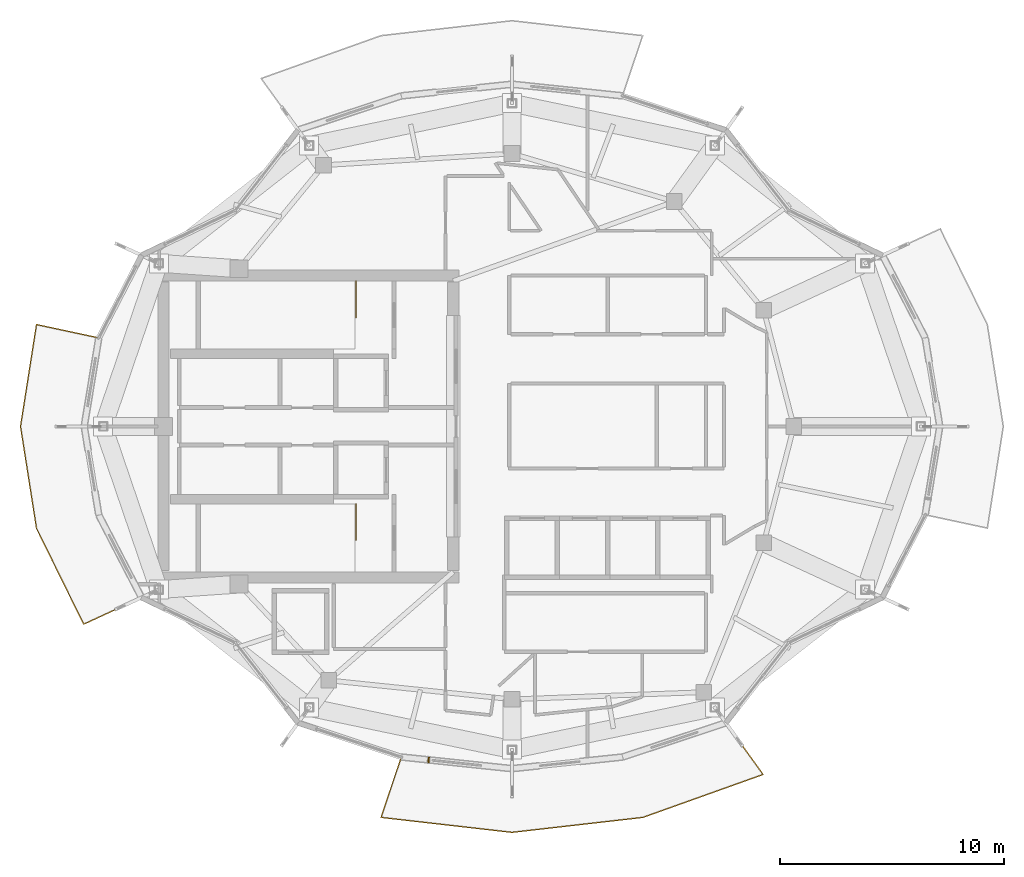
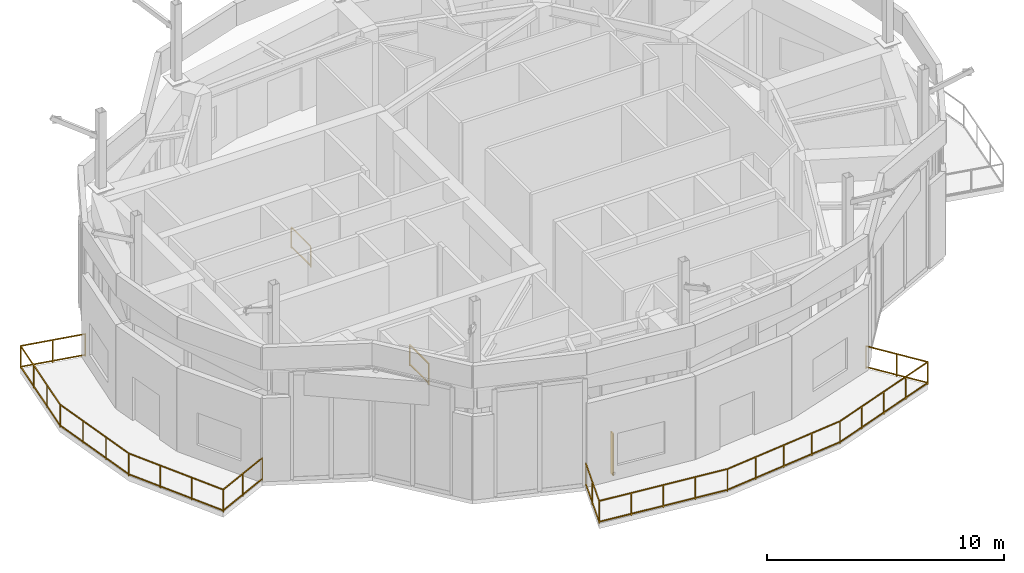
# One storey, part 12 of 13: 4 railings, 1 shading device.
"""IFC4 building model written with IfcOpenShell, lengths in metres."""

from ifc_helpers import new_model, si_unit, direction, frame, origin, origin_2d, place, context, subcontext, project, spatial, rectangle, extrude, material, type_object, element, save


model = new_model("IFC4")

# Units and contexts
model_context = context("Model", 3, precision=1e-05, world=origin(), true_north=direction((0.0, 1.0)))
body_context = subcontext(model_context, "Body", "Model", "MODEL_VIEW")
ifc_project = project(units=[si_unit("LENGTHUNIT", "METRE"), si_unit("AREAUNIT", "SQUARE_METRE"), si_unit("VOLUMEUNIT", "CUBIC_METRE"), si_unit("PLANEANGLEUNIT", "RADIAN"), si_unit("MASSUNIT", "GRAM", prefix="KILO")], contexts=[model_context])

# Site, building, storey
site_placement = place(None, origin())
site = spatial("IfcSite", under=ifc_project, at=site_placement, CompositionType="ELEMENT")
building_placement = place(site_placement, origin())
building = spatial("IfcBuilding", under=site, at=building_placement, Name="Kolvaren Gate Tower and Convention Centre", CompositionType="ELEMENT")
storey_placement = place(building_placement, frame((0.0, 0.0, 281.60009765625)))
storey = spatial("IfcBuildingStorey", under=building, at=storey_placement, Name="L76", CompositionType="ELEMENT", Elevation=281.60009765625)

# Railings
ifc_material_1 = material(Name="Laminated Tempered Safety Glass Balustrade 21.5 mm", Category="glass")
railing_type_1 = type_object("IfcRailingType", Name="ARCH-RL-BALUST-1180", PredefinedType="BALUSTRADE", material=ifc_material_1)
railing_1_placement = place(storey_placement, frame((11.651611328125, 30.9599609375, 0.0)))
element("IfcRailing", 1, at=railing_1_placement, inside=storey, type_object=railing_type_1, Name="Tower L76 Terrace Perimeter Guardrail GR-3", PredefinedType="BALUSTRADE", context=body_context, shape_type="SweptSolid", body=[
    extrude(rectangle(XDim=0.048095703125, YDim=0.048095703125, at=origin_2d()), frame((-0.02734375, 0.005859375, 1.15576171875), z_axis=(-0.977782351409, 0.209622692649, 0.0), x_axis=(-0.209622692649, -0.977782351409, 0.0)), (0.0, 0.0, 1.0), 2.7939453125),
    extrude(rectangle(XDim=0.048095703125, YDim=0.048095703125, at=origin_2d()), frame((-0.02734375, 0.005859375, 0.083984375), z_axis=(-0.977782351409, 0.209622692649, 0.0), x_axis=(-0.209622692649, -0.977782351409, 0.0)), (0.0, 0.0, 1.0), 2.7939453125),
    extrude(rectangle(XDim=0.048095703125, YDim=0.048095703125, at=origin_2d()), frame((-2.791015625, 0.56982421875, 1.15576171875), z_axis=(-0.155011318424, -0.987912694098, 0.0), x_axis=(0.987912694098, -0.155011318424, 0.0)), (0.0, 0.0, 1.0), 4.55712890625),
    extrude(rectangle(XDim=0.048095703125, YDim=0.048095703125, at=origin_2d()), frame((-2.791015625, 0.56982421875, 0.083984375), z_axis=(-0.155011318424, -0.987912694098, 0.0), x_axis=(0.987912694098, -0.155011318424, 0.0)), (0.0, 0.0, 1.0), 4.55712890625),
    extrude(rectangle(XDim=0.048095703125, YDim=0.048095703125, at=origin_2d()), frame((-3.497314453125, -3.987548828125, 1.15576171875), z_axis=(0.155011318424, -0.987912694098, 0.0), x_axis=(0.987912694098, 0.155011318424, 0.0)), (0.0, 0.0, 1.0), 4.55712890625),
    extrude(rectangle(XDim=0.048095703125, YDim=0.048095703125, at=origin_2d()), frame((-3.497314453125, -3.987548828125, 0.083984375), z_axis=(0.155011318424, -0.987912694098, 0.0), x_axis=(0.987912694098, 0.155011318424, 0.0)), (0.0, 0.0, 1.0), 4.55712890625),
    extrude(rectangle(XDim=0.048095703125, YDim=0.048095703125, at=origin_2d()), frame((-2.774169921875, -8.54248046875, 1.15576171875), z_axis=(0.441564449568, -0.897229534109, 0.0), x_axis=(0.897229534109, 0.441564449568, 0.0)), (0.0, 0.0, 1.0), 4.72265625),
    extrude(rectangle(XDim=0.048095703125, YDim=0.048095703125, at=origin_2d()), frame((-2.774169921875, -8.54248046875, 0.083984375), z_axis=(0.441564449568, -0.897229534109, 0.0), x_axis=(0.897229534109, 0.441564449568, 0.0)), (0.0, 0.0, 1.0), 4.72265625),
    extrude(rectangle(XDim=0.048095703125, YDim=0.048095703125, at=origin_2d()), frame((-0.651123046875, -12.793212890625, 1.15576171875), z_axis=(0.907826448585, 0.419346085291, 0.0), x_axis=(-0.419346085291, 0.907826448585, 0.0)), (0.0, 0.0, 1.0), 2.793701171875),
    extrude(rectangle(XDim=0.048095703125, YDim=0.048095703125, at=origin_2d()), frame((-0.651123046875, -12.793212890625, 0.083984375), z_axis=(0.907826448585, 0.419346085291, 0.0), x_axis=(-0.419346085291, 0.907826448585, 0.0)), (0.0, 0.0, 1.0), 2.793701171875),
    extrude(rectangle(XDim=0.0419921875, YDim=0.0419921875, at=origin_2d()), origin(), (0.0, 0.0, 1.0), 1.179931640625),
    extrude(rectangle(XDim=0.0419921875, YDim=0.0419921875, at=origin_2d()), frame((-2.78662109375, 0.597412109375, 0.0)), (0.0, 0.0, 1.0), 1.179931640625),
    extrude(rectangle(XDim=0.0419921875, YDim=0.0419921875, at=origin_2d()), frame((-1.393310546875, 0.298828125, 0.0)), (0.0, 0.0, 1.0), 1.1298828125),
    extrude(rectangle(XDim=0.0419921875, YDim=0.0419921875, at=origin_2d()), frame((-3.501708984375, -3.9599609375, 0.0)), (0.0, 0.0, 1.0), 1.179931640625),
    extrude(rectangle(XDim=0.0419921875, YDim=0.0419921875, at=origin_2d()), frame((-3.02490234375, -0.921630859375, 0.0)), (0.0, 0.0, 1.0), 1.1298828125),
    extrude(rectangle(XDim=0.0419921875, YDim=0.0419921875, at=origin_2d()), frame((-3.263427734375, -2.44091796875, 0.0)), (0.0, 0.0, 1.0), 1.1298828125),
    extrude(rectangle(XDim=0.0419921875, YDim=0.0419921875, at=origin_2d()), frame((-2.78662109375, -8.517333984375, 0.0)), (0.0, 0.0, 1.0), 1.179931640625),
    extrude(rectangle(XDim=0.0419921875, YDim=0.0419921875, at=origin_2d()), frame((-3.263427734375, -5.47900390625, 0.0)), (0.0, 0.0, 1.0), 1.1298828125),
    extrude(rectangle(XDim=0.0419921875, YDim=0.0419921875, at=origin_2d()), frame((-3.02490234375, -6.998291015625, 0.0)), (0.0, 0.0, 1.0), 1.1298828125),
    extrude(rectangle(XDim=0.0419921875, YDim=0.0419921875, at=origin_2d()), frame((-0.676513671875, -12.804931640625, 0.0)), (0.0, 0.0, 1.0), 1.179931640625),
    extrude(rectangle(XDim=0.0419921875, YDim=0.0419921875, at=origin_2d()), frame((-2.083251953125, -9.946533203125, 0.0)), (0.0, 0.0, 1.0), 1.1298828125),
    extrude(rectangle(XDim=0.0419921875, YDim=0.0419921875, at=origin_2d()), frame((-1.3798828125, -11.375732421875, 0.0)), (0.0, 0.0, 1.0), 1.1298828125),
    extrude(rectangle(XDim=0.0419921875, YDim=0.0419921875, at=origin_2d()), frame((1.91064453125, -11.60986328125, 0.0)), (0.0, 0.0, 1.0), 1.179931640625),
    extrude(rectangle(XDim=0.0419921875, YDim=0.0419921875, at=origin_2d()), frame((0.6171875, -12.20751953125, 0.0)), (0.0, 0.0, 1.0), 1.1298828125),
])
railing_2_placement = place(storey_placement, frame((25.175048828125, 12.22119140625, 0.0)))
element("IfcRailing", 2, at=railing_2_placement, inside=storey, type_object=railing_type_1, Name="Tower L76 Terrace Perimeter Guardrail GR-4", PredefinedType="BALUSTRADE", context=body_context, shape_type="SweptSolid", body=[
    extrude(rectangle(XDim=0.048095703125, YDim=0.048095703125, at=origin_2d()), frame((-0.0087890625, -0.026611328125, 1.15576171875), z_axis=(-0.317563841774, -0.948236893607, 0.0), x_axis=(0.948236893607, -0.317563841774, 0.0)), (0.0, 0.0, 1.0), 2.793701171875),
    extrude(rectangle(XDim=0.048095703125, YDim=0.048095703125, at=origin_2d()), frame((-0.0087890625, -0.026611328125, 0.083984375), z_axis=(-0.317563841774, -0.948236893607, 0.0), x_axis=(0.948236893607, -0.317563841774, 0.0)), (0.0, 0.0, 1.0), 2.793701171875),
    extrude(rectangle(XDim=0.048095703125, YDim=0.048095703125, at=origin_2d()), frame((-0.877197265625, -2.70556640625, 1.15576171875), z_axis=(0.993541082509, -0.113472980777, 0.0), x_axis=(0.113472980777, 0.993541082509, 0.0)), (0.0, 0.0, 1.0), 5.8369140625),
    extrude(rectangle(XDim=0.048095703125, YDim=0.048095703125, at=origin_2d()), frame((-0.877197265625, -2.70556640625, 0.083984375), z_axis=(0.993541082509, -0.113472980777, 0.0), x_axis=(0.113472980777, 0.993541082509, 0.0)), (0.0, 0.0, 1.0), 5.8369140625),
    extrude(rectangle(XDim=0.048095703125, YDim=0.048095703125, at=origin_2d()), frame((4.977783203125, -3.367919921875, 1.15576171875), z_axis=(0.993541082509, 0.113472980777, 0.0), x_axis=(-0.113472980777, 0.993541082509, 0.0)), (0.0, 0.0, 1.0), 5.8369140625),
    extrude(rectangle(XDim=0.048095703125, YDim=0.048095703125, at=origin_2d()), frame((4.977783203125, -3.367919921875, 0.083984375), z_axis=(0.993541082509, 0.113472980777, 0.0), x_axis=(-0.113472980777, 0.993541082509, 0.0)), (0.0, 0.0, 1.0), 5.8369140625),
    extrude(rectangle(XDim=0.048095703125, YDim=0.048095703125, at=origin_2d()), frame((10.831298828125, -2.69287109375, 1.15576171875), z_axis=(0.94173126628, 0.33636620239, 0.0), x_axis=(-0.33636620239, 0.94173126628, 0.0)), (0.0, 0.0, 1.0), 5.65185546875),
    extrude(rectangle(XDim=0.048095703125, YDim=0.048095703125, at=origin_2d()), frame((10.831298828125, -2.69287109375, 0.083984375), z_axis=(0.94173126628, 0.33636620239, 0.0), x_axis=(-0.33636620239, 0.94173126628, 0.0)), (0.0, 0.0, 1.0), 5.65185546875),
    extrude(rectangle(XDim=0.048095703125, YDim=0.048095703125, at=origin_2d()), frame((16.163818359375, -0.759765625, 1.15576171875), z_axis=(-0.585177737383, 0.810905059591, 0.0), x_axis=(-0.810905059591, -0.585177737383, 0.0)), (0.0, 0.0, 1.0), 2.7939453125),
    extrude(rectangle(XDim=0.048095703125, YDim=0.048095703125, at=origin_2d()), frame((16.163818359375, -0.759765625, 0.083984375), z_axis=(-0.585177737383, 0.810905059591, 0.0), x_axis=(-0.810905059591, -0.585177737383, 0.0)), (0.0, 0.0, 1.0), 2.7939453125),
    extrude(rectangle(XDim=0.0419921875, YDim=0.0419921875, at=origin_2d()), origin(), (0.0, 0.0, 1.0), 1.179931640625),
    extrude(rectangle(XDim=0.0419921875, YDim=0.0419921875, at=origin_2d()), frame((-0.905029296875, -2.702392578125, 0.0)), (0.0, 0.0, 1.0), 1.179931640625),
    extrude(rectangle(XDim=0.0419921875, YDim=0.0419921875, at=origin_2d()), frame((-0.45263671875, -1.35107421875, 0.0)), (0.0, 0.0, 1.0), 1.1298828125),
    extrude(rectangle(XDim=0.0419921875, YDim=0.0419921875, at=origin_2d()), frame((4.949951171875, -3.37109375, 0.0)), (0.0, 0.0, 1.0), 1.179931640625),
    extrude(rectangle(XDim=0.0419921875, YDim=0.0419921875, at=origin_2d()), frame((0.55859375, -2.86962890625, 0.0)), (0.0, 0.0, 1.0), 1.1298828125),
    extrude(rectangle(XDim=0.0419921875, YDim=0.0419921875, at=origin_2d()), frame((2.0224609375, -3.03662109375, 0.0)), (0.0, 0.0, 1.0), 1.1298828125),
    extrude(rectangle(XDim=0.0419921875, YDim=0.0419921875, at=origin_2d()), frame((3.486328125, -3.203857421875, 0.0)), (0.0, 0.0, 1.0), 1.1298828125),
    extrude(rectangle(XDim=0.0419921875, YDim=0.0419921875, at=origin_2d()), frame((10.804931640625, -2.702392578125, 0.0)), (0.0, 0.0, 1.0), 1.179931640625),
    extrude(rectangle(XDim=0.0419921875, YDim=0.0419921875, at=origin_2d()), frame((6.41357421875, -3.203857421875, 0.0)), (0.0, 0.0, 1.0), 1.1298828125),
    extrude(rectangle(XDim=0.0419921875, YDim=0.0419921875, at=origin_2d()), frame((7.87744140625, -3.03662109375, 0.0)), (0.0, 0.0, 1.0), 1.1298828125),
    extrude(rectangle(XDim=0.0419921875, YDim=0.0419921875, at=origin_2d()), frame((9.34130859375, -2.86962890625, 0.0)), (0.0, 0.0, 1.0), 1.1298828125),
    extrude(rectangle(XDim=0.0419921875, YDim=0.0419921875, at=origin_2d()), frame((16.18017578125, -0.782470703125, 0.0)), (0.0, 0.0, 1.0), 1.179931640625),
    extrude(rectangle(XDim=0.0419921875, YDim=0.0419921875, at=origin_2d()), frame((12.148681640625, -2.222412109375, 0.0)), (0.0, 0.0, 1.0), 1.1298828125),
    extrude(rectangle(XDim=0.0419921875, YDim=0.0419921875, at=origin_2d()), frame((13.49267578125, -1.742431640625, 0.0)), (0.0, 0.0, 1.0), 1.1298828125),
    extrude(rectangle(XDim=0.0419921875, YDim=0.0419921875, at=origin_2d()), frame((14.83642578125, -1.262451171875, 0.0)), (0.0, 0.0, 1.0), 1.1298828125),
    extrude(rectangle(XDim=0.0419921875, YDim=0.0419921875, at=origin_2d()), frame((14.512451171875, 1.528564453125, 0.0)), (0.0, 0.0, 1.0), 1.179931640625),
    extrude(rectangle(XDim=0.0419921875, YDim=0.0419921875, at=origin_2d()), frame((15.34619140625, 0.373046875, 0.0)), (0.0, 0.0, 1.0), 1.1298828125),
])
ifc_material_2 = material(Name="Brushed Stainless Steel Grade 316L", Category="steel")
railing_type_2 = type_object("IfcRailingType", Name="ARCH-RL-GUARD-1150", PredefinedType="GUARDRAIL", material=ifc_material_2)
for number, where, name in (
    (3, (23.14990234375, 33.5, 0.0), "L76 ST-T1 top well guard 1"),
    (4, (23.14990234375, 23.5400390625, 0.0), "L76 ST-T2 top well guard 1"),
):
    element("IfcRailing", number, at=place(storey_placement, frame(where)), inside=storey, type_object=railing_type_2, Name=name, PredefinedType="GUARDRAIL", context=body_context, shape_type="SweptSolid", body=[
        extrude(rectangle(XDim=0.048095703125, YDim=0.048095703125, at=origin_2d()), frame((0.0, 0.0, 1.076171875), z_axis=(0.0, -1.0, 0.0), x_axis=(1.0, 0.0, 0.0)), (0.0, 0.0, 1.0), 1.6201171875),
        extrude(rectangle(XDim=0.048095703125, YDim=0.048095703125, at=origin_2d()), frame((0.0, 0.0, 0.083984375), z_axis=(0.0, -1.0, 0.0), x_axis=(1.0, 0.0, 0.0)), (0.0, 0.0, 1.0), 1.6201171875),
        extrude(rectangle(XDim=0.0419921875, YDim=0.0419921875, at=origin_2d()), origin(), (0.0, 0.0, 1.0), 1.050048828125),
        extrude(rectangle(XDim=0.0419921875, YDim=0.0419921875, at=origin_2d()), frame((0.0, -1.6201171875, 0.0)), (0.0, 0.0, 1.0), 1.050048828125),
    ])

# Shading device
ifc_material_3 = material(Name="Kiln-Fired Bogota Terracotta Ceramic Louvre Profile", Category="masonry")
shading_device_type = type_object("IfcShadingDeviceType", Name="ARCH-SHD-FIN-180", PredefinedType="JALOUSIE", material=ifc_material_3)
shading_device_placement = place(storey_placement, frame((26.397216796875, 12.092529296875, 0.219970703125), z_axis=(0.0, 0.0, 1.0), x_axis=(0.994499981166, -0.104736753152, 0.0)))
element("IfcShadingDevice", 5, at=shading_device_placement, inside=storey, type_object=shading_device_type, Name="Ceramic Vertical Brise-Soleil Fin FN-L76-17", PredefinedType="JALOUSIE", context=body_context, shape_type="SweptSolid", body=[
    extrude(rectangle(XDim=0.06005859375, YDim=0.239990234375, at=origin_2d()), origin(), (0.0, 0.0, 1.0), 2.14990234375),
])

save(model, "model.ifc")
